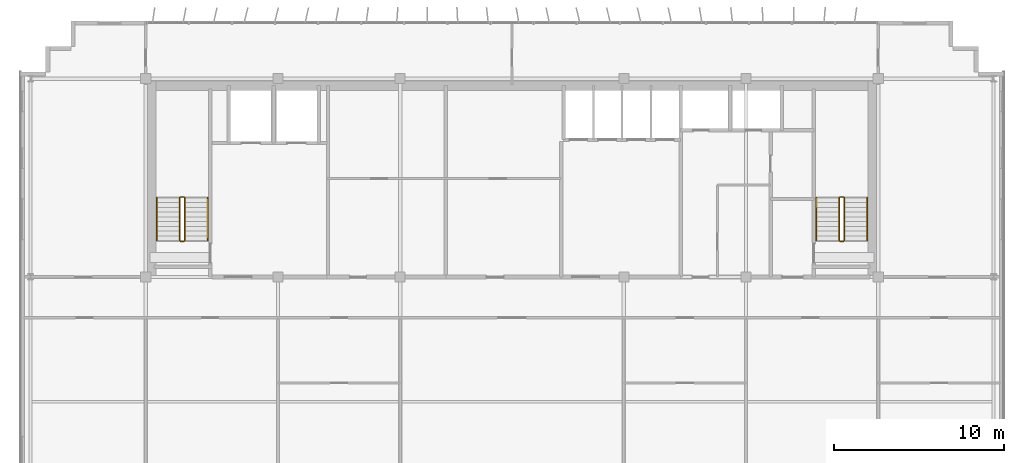
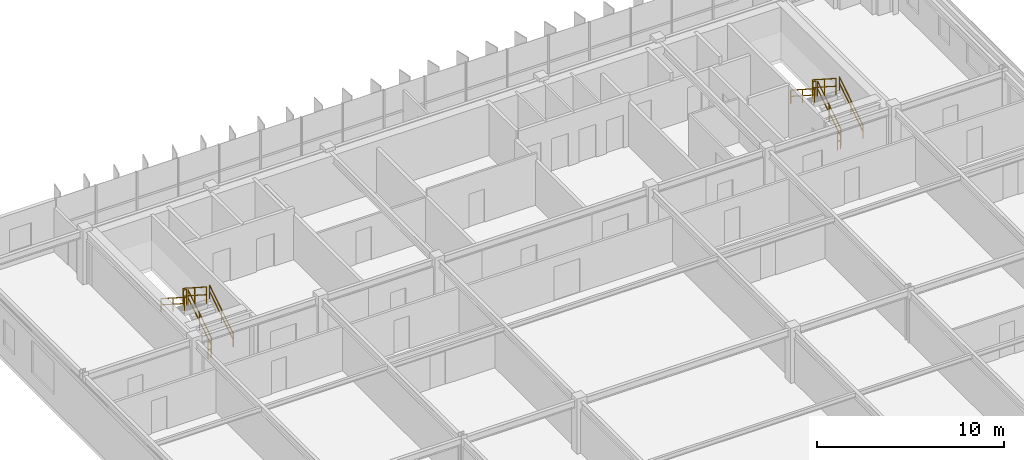
# One storey, part 21 of 21: 12 railings.
"""IFC4 building model written with IfcOpenShell, lengths in metres."""

from ifc_helpers import new_model, si_unit, direction, frame, origin, origin_2d, place, context, subcontext, project, spatial, rectangle, extrude, material, type_object, element, save


model = new_model("IFC4")

# Units and contexts
model_context = context("Model", 3, precision=1e-05, world=origin(), true_north=direction((0.0, 1.0)))
body_context = subcontext(model_context, "Body", "Model", "MODEL_VIEW")
ifc_project = project(units=[si_unit("LENGTHUNIT", "METRE"), si_unit("AREAUNIT", "SQUARE_METRE"), si_unit("VOLUMEUNIT", "CUBIC_METRE"), si_unit("PLANEANGLEUNIT", "RADIAN"), si_unit("MASSUNIT", "GRAM", prefix="KILO")], contexts=[model_context])

# Site, building, storey
site_placement = place(None, origin())
site = spatial("IfcSite", under=ifc_project, at=site_placement, CompositionType="ELEMENT")
building_placement = place(site_placement, origin())
building = spatial("IfcBuilding", under=site, at=building_placement, Name="Trelvane Seafront Commons", CompositionType="ELEMENT")
storey_placement = place(building_placement, frame((0.0, 0.0, 252.300048828125)))
storey = spatial("IfcBuildingStorey", under=building, at=storey_placement, Name="L65", CompositionType="ELEMENT", Elevation=252.300048828125)

# Railings
ifc_material = material(Name="Stainless steel balustrade", Category="steel")
railing_type_1 = type_object("IfcRailingType", Name="ARCH-SRL-GUARD", PredefinedType="GUARDRAIL", material=ifc_material)
railing_1_placement = place(storey_placement, frame((17.89990234375, 35.550048828125, 0.179931640625)))
element("IfcRailing", 1, at=railing_1_placement, inside=storey, type_object=railing_type_1, Name="L65 ST-1 stair guard 1", PredefinedType="GUARDRAIL", context=body_context, shape_type="SweptSolid", body=[
    extrude(rectangle(XDim=0.048095703125, YDim=0.048095703125, at=origin_2d()), frame((0.0, 0.0, 1.076171875), z_axis=(0.0, 0.841162588446, 0.540782303519), x_axis=(-1.0, 0.0, 0.0)), (0.0, 0.0, 1.0), 2.995849609375),
    extrude(rectangle(XDim=0.048095703125, YDim=0.048095703125, at=origin_2d()), frame((0.0, 0.0, 0.572021484375), z_axis=(0.0, 0.841162588446, 0.540782303519), x_axis=(-1.0, 0.0, 0.0)), (0.0, 0.0, 1.0), 2.995849609375),
    extrude(rectangle(XDim=0.0419921875, YDim=0.0419921875, at=origin_2d()), origin(), (0.0, 0.0, 1.0), 1.076171875),
    extrude(rectangle(XDim=0.0419921875, YDim=0.0419921875, at=origin_2d()), frame((0.0, 1.260009765625, 0.81005859375)), (0.0, 0.0, 1.0), 1.076171875),
    extrude(rectangle(XDim=0.0419921875, YDim=0.0419921875, at=origin_2d()), frame((0.0, 2.52001953125, 1.6201171875)), (0.0, 0.0, 1.0), 1.076171875),
])
railing_2_placement = place(storey_placement, frame((17.85009765625, 38.1201171875, 1.800048828125)))
element("IfcRailing", 2, at=railing_2_placement, inside=storey, type_object=railing_type_1, Name="L65 ST-1 stair guard 2", PredefinedType="GUARDRAIL", context=body_context, shape_type="SweptSolid", body=[
    extrude(rectangle(XDim=0.048095703125, YDim=0.048095703125, at=origin_2d()), frame((0.0, 0.0, 1.076171875), z_axis=(-1.0, 0.0, 0.0), x_axis=(0.0, -1.0, 0.0)), (0.0, 0.0, 1.0), 0.2001953125),
    extrude(rectangle(XDim=0.048095703125, YDim=0.048095703125, at=origin_2d()), frame((0.0, 0.0, 0.572021484375), z_axis=(-1.0, 0.0, 0.0), x_axis=(0.0, -1.0, 0.0)), (0.0, 0.0, 1.0), 0.2001953125),
    extrude(rectangle(XDim=0.0419921875, YDim=0.0419921875, at=origin_2d()), origin(), (0.0, 0.0, 1.0), 1.076171875),
    extrude(rectangle(XDim=0.0419921875, YDim=0.0419921875, at=origin_2d()), frame((-0.2001953125, 0.0, 0.0)), (0.0, 0.0, 1.0), 1.076171875),
])
railing_3_placement = place(storey_placement, frame((17.60009765625, 38.070068359375, 1.97998046875)))
element("IfcRailing", 3, at=railing_3_placement, inside=storey, type_object=railing_type_1, Name="L65 ST-1 stair guard 3", PredefinedType="GUARDRAIL", context=body_context, shape_type="SweptSolid", body=[
    extrude(rectangle(XDim=0.048095703125, YDim=0.048095703125, at=origin_2d()), frame((0.0, 0.0, 1.076171875), z_axis=(0.0, -0.841199657755, 0.540724639528), x_axis=(1.0, 0.0, 0.0)), (0.0, 0.0, 1.0), 2.995849609375),
    extrude(rectangle(XDim=0.048095703125, YDim=0.048095703125, at=origin_2d()), frame((0.0, 0.0, 0.572021484375), z_axis=(0.0, -0.841199657755, 0.540724639528), x_axis=(1.0, 0.0, 0.0)), (0.0, 0.0, 1.0), 2.995849609375),
    extrude(rectangle(XDim=0.0419921875, YDim=0.0419921875, at=origin_2d()), origin(), (0.0, 0.0, 1.0), 1.076171875),
    extrude(rectangle(XDim=0.0419921875, YDim=0.0419921875, at=origin_2d()), frame((0.0, -1.260009765625, 0.81005859375)), (0.0, 0.0, 1.0), 1.076171875),
    extrude(rectangle(XDim=0.0419921875, YDim=0.0419921875, at=origin_2d()), frame((0.0, -2.52001953125, 1.619873046875)), (0.0, 0.0, 1.0), 1.076171875),
])
railing_4_placement = place(storey_placement, frame((17.85009765625, 35.5, 0.0)))
element("IfcRailing", 4, at=railing_4_placement, inside=storey, type_object=railing_type_1, Name="L65 ST-1 stair guard 4", PredefinedType="GUARDRAIL", context=body_context, shape_type="SweptSolid", body=[
    extrude(rectangle(XDim=0.048095703125, YDim=0.048095703125, at=origin_2d()), frame((0.0, 0.0, 1.076171875), z_axis=(-1.0, 0.0, 0.0), x_axis=(0.0, -1.0, 0.0)), (0.0, 0.0, 1.0), 0.2001953125),
    extrude(rectangle(XDim=0.048095703125, YDim=0.048095703125, at=origin_2d()), frame((0.0, 0.0, 0.572021484375), z_axis=(-1.0, 0.0, 0.0), x_axis=(0.0, -1.0, 0.0)), (0.0, 0.0, 1.0), 0.2001953125),
    extrude(rectangle(XDim=0.0419921875, YDim=0.0419921875, at=origin_2d()), origin(), (0.0, 0.0, 1.0), 1.076171875),
    extrude(rectangle(XDim=0.0419921875, YDim=0.0419921875, at=origin_2d()), frame((-0.2001953125, 0.0, 0.0)), (0.0, 0.0, 1.0), 1.076171875),
])
railing_5_placement = place(storey_placement, frame((56.800048828125, 35.550048828125, 0.179931640625)))
element("IfcRailing", 5, at=railing_5_placement, inside=storey, type_object=railing_type_1, Name="L65 ST-2 stair guard 1", PredefinedType="GUARDRAIL", context=body_context, shape_type="SweptSolid", body=[
    extrude(rectangle(XDim=0.048095703125, YDim=0.048095703125, at=origin_2d()), frame((0.0, 0.0, 1.076171875), z_axis=(0.0, 0.841162588446, 0.540782303519), x_axis=(-1.0, 0.0, 0.0)), (0.0, 0.0, 1.0), 2.995849609375),
    extrude(rectangle(XDim=0.048095703125, YDim=0.048095703125, at=origin_2d()), frame((0.0, 0.0, 0.572021484375), z_axis=(0.0, 0.841162588446, 0.540782303519), x_axis=(-1.0, 0.0, 0.0)), (0.0, 0.0, 1.0), 2.995849609375),
    extrude(rectangle(XDim=0.0419921875, YDim=0.0419921875, at=origin_2d()), origin(), (0.0, 0.0, 1.0), 1.076171875),
    extrude(rectangle(XDim=0.0419921875, YDim=0.0419921875, at=origin_2d()), frame((0.0, 1.260009765625, 0.81005859375)), (0.0, 0.0, 1.0), 1.076171875),
    extrude(rectangle(XDim=0.0419921875, YDim=0.0419921875, at=origin_2d()), frame((0.0, 2.52001953125, 1.6201171875)), (0.0, 0.0, 1.0), 1.076171875),
])
railing_6_placement = place(storey_placement, frame((56.75, 38.1201171875, 1.800048828125)))
element("IfcRailing", 6, at=railing_6_placement, inside=storey, type_object=railing_type_1, Name="L65 ST-2 stair guard 2", PredefinedType="GUARDRAIL", context=body_context, shape_type="SweptSolid", body=[
    extrude(rectangle(XDim=0.048095703125, YDim=0.048095703125, at=origin_2d()), frame((0.0, 0.0, 1.076171875), z_axis=(-1.0, 0.0, 0.0), x_axis=(0.0, -1.0, 0.0)), (0.0, 0.0, 1.0), 0.199951171875),
    extrude(rectangle(XDim=0.048095703125, YDim=0.048095703125, at=origin_2d()), frame((0.0, 0.0, 0.572021484375), z_axis=(-1.0, 0.0, 0.0), x_axis=(0.0, -1.0, 0.0)), (0.0, 0.0, 1.0), 0.199951171875),
    extrude(rectangle(XDim=0.0419921875, YDim=0.0419921875, at=origin_2d()), origin(), (0.0, 0.0, 1.0), 1.076171875),
    extrude(rectangle(XDim=0.0419921875, YDim=0.0419921875, at=origin_2d()), frame((-0.199951171875, 0.0, 0.0)), (0.0, 0.0, 1.0), 1.076171875),
])
railing_7_placement = place(storey_placement, frame((56.5, 38.070068359375, 1.97998046875)))
element("IfcRailing", 7, at=railing_7_placement, inside=storey, type_object=railing_type_1, Name="L65 ST-2 stair guard 3", PredefinedType="GUARDRAIL", context=body_context, shape_type="SweptSolid", body=[
    extrude(rectangle(XDim=0.048095703125, YDim=0.048095703125, at=origin_2d()), frame((0.0, 0.0, 1.076171875), z_axis=(0.0, -0.841199657755, 0.540724639528), x_axis=(1.0, 0.0, 0.0)), (0.0, 0.0, 1.0), 2.995849609375),
    extrude(rectangle(XDim=0.048095703125, YDim=0.048095703125, at=origin_2d()), frame((0.0, 0.0, 0.572021484375), z_axis=(0.0, -0.841199657755, 0.540724639528), x_axis=(1.0, 0.0, 0.0)), (0.0, 0.0, 1.0), 2.995849609375),
    extrude(rectangle(XDim=0.0419921875, YDim=0.0419921875, at=origin_2d()), origin(), (0.0, 0.0, 1.0), 1.076171875),
    extrude(rectangle(XDim=0.0419921875, YDim=0.0419921875, at=origin_2d()), frame((0.0, -1.260009765625, 0.81005859375)), (0.0, 0.0, 1.0), 1.076171875),
    extrude(rectangle(XDim=0.0419921875, YDim=0.0419921875, at=origin_2d()), frame((0.0, -2.52001953125, 1.619873046875)), (0.0, 0.0, 1.0), 1.076171875),
])
railing_8_placement = place(storey_placement, frame((56.75, 35.5, 0.0)))
element("IfcRailing", 8, at=railing_8_placement, inside=storey, type_object=railing_type_1, Name="L65 ST-2 stair guard 4", PredefinedType="GUARDRAIL", context=body_context, shape_type="SweptSolid", body=[
    extrude(rectangle(XDim=0.048095703125, YDim=0.048095703125, at=origin_2d()), frame((0.0, 0.0, 1.076171875), z_axis=(-1.0, 0.0, 0.0), x_axis=(0.0, -1.0, 0.0)), (0.0, 0.0, 1.0), 0.199951171875),
    extrude(rectangle(XDim=0.048095703125, YDim=0.048095703125, at=origin_2d()), frame((0.0, 0.0, 0.572021484375), z_axis=(-1.0, 0.0, 0.0), x_axis=(0.0, -1.0, 0.0)), (0.0, 0.0, 1.0), 0.199951171875),
    extrude(rectangle(XDim=0.0419921875, YDim=0.0419921875, at=origin_2d()), origin(), (0.0, 0.0, 1.0), 1.076171875),
    extrude(rectangle(XDim=0.0419921875, YDim=0.0419921875, at=origin_2d()), frame((-0.199951171875, 0.0, 0.0)), (0.0, 0.0, 1.0), 1.076171875),
])
railing_type_2 = type_object("IfcRailingType", Name="ARCH-SRL-HAND", PredefinedType="HANDRAIL", material=ifc_material)
railing_9_placement = place(storey_placement, frame((19.25, 35.550048828125, 0.179931640625)))
element("IfcRailing", 9, at=railing_9_placement, inside=storey, type_object=railing_type_2, Name="L65 ST-1 stair handrail 1", PredefinedType="HANDRAIL", context=body_context, shape_type="SweptSolid", body=[
    extrude(rectangle(XDim=0.048095703125, YDim=0.048095703125, at=origin_2d()), frame((0.0, 0.0, 0.8759765625), z_axis=(0.0, 0.841162588446, 0.540782303519), x_axis=(-1.0, 0.0, 0.0)), (0.0, 0.0, 1.0), 2.995849609375),
    extrude(rectangle(XDim=0.048095703125, YDim=0.048095703125, at=origin_2d()), frame((0.0, 0.0, 0.468017578125), z_axis=(0.0, 0.841162588446, 0.540782303519), x_axis=(-1.0, 0.0, 0.0)), (0.0, 0.0, 1.0), 2.995849609375),
    extrude(rectangle(XDim=0.0419921875, YDim=0.0419921875, at=origin_2d()), origin(), (0.0, 0.0, 1.0), 0.8759765625),
    extrude(rectangle(XDim=0.0419921875, YDim=0.0419921875, at=origin_2d()), frame((0.0, 1.260009765625, 0.81005859375)), (0.0, 0.0, 1.0), 0.8759765625),
    extrude(rectangle(XDim=0.0419921875, YDim=0.0419921875, at=origin_2d()), frame((0.0, 2.52001953125, 1.6201171875)), (0.0, 0.0, 1.0), 0.8759765625),
])
railing_10_placement = place(storey_placement, frame((16.25, 38.070068359375, 1.97998046875)))
element("IfcRailing", 10, at=railing_10_placement, inside=storey, type_object=railing_type_2, Name="L65 ST-1 stair handrail 2", PredefinedType="HANDRAIL", context=body_context, shape_type="SweptSolid", body=[
    extrude(rectangle(XDim=0.048095703125, YDim=0.048095703125, at=origin_2d()), frame((0.0, 0.0, 0.8759765625), z_axis=(0.0, -0.841199657755, 0.540724639528), x_axis=(1.0, 0.0, 0.0)), (0.0, 0.0, 1.0), 2.995849609375),
    extrude(rectangle(XDim=0.048095703125, YDim=0.048095703125, at=origin_2d()), frame((0.0, 0.0, 0.468017578125), z_axis=(0.0, -0.841199657755, 0.540724639528), x_axis=(1.0, 0.0, 0.0)), (0.0, 0.0, 1.0), 2.995849609375),
    extrude(rectangle(XDim=0.0419921875, YDim=0.0419921875, at=origin_2d()), origin(), (0.0, 0.0, 1.0), 0.8759765625),
    extrude(rectangle(XDim=0.0419921875, YDim=0.0419921875, at=origin_2d()), frame((0.0, -1.260009765625, 0.81005859375)), (0.0, 0.0, 1.0), 0.8759765625),
    extrude(rectangle(XDim=0.0419921875, YDim=0.0419921875, at=origin_2d()), frame((0.0, -2.52001953125, 1.619873046875)), (0.0, 0.0, 1.0), 0.8759765625),
])
railing_11_placement = place(storey_placement, frame((58.14990234375, 35.550048828125, 0.179931640625)))
element("IfcRailing", 11, at=railing_11_placement, inside=storey, type_object=railing_type_2, Name="L65 ST-2 stair handrail 1", PredefinedType="HANDRAIL", context=body_context, shape_type="SweptSolid", body=[
    extrude(rectangle(XDim=0.048095703125, YDim=0.048095703125, at=origin_2d()), frame((0.0, 0.0, 0.8759765625), z_axis=(0.0, 0.841162588446, 0.540782303519), x_axis=(-1.0, 0.0, 0.0)), (0.0, 0.0, 1.0), 2.995849609375),
    extrude(rectangle(XDim=0.048095703125, YDim=0.048095703125, at=origin_2d()), frame((0.0, 0.0, 0.468017578125), z_axis=(0.0, 0.841162588446, 0.540782303519), x_axis=(-1.0, 0.0, 0.0)), (0.0, 0.0, 1.0), 2.995849609375),
    extrude(rectangle(XDim=0.0419921875, YDim=0.0419921875, at=origin_2d()), origin(), (0.0, 0.0, 1.0), 0.8759765625),
    extrude(rectangle(XDim=0.0419921875, YDim=0.0419921875, at=origin_2d()), frame((0.0, 1.260009765625, 0.81005859375)), (0.0, 0.0, 1.0), 0.8759765625),
    extrude(rectangle(XDim=0.0419921875, YDim=0.0419921875, at=origin_2d()), frame((0.0, 2.52001953125, 1.6201171875)), (0.0, 0.0, 1.0), 0.8759765625),
])
railing_12_placement = place(storey_placement, frame((55.14990234375, 38.070068359375, 1.97998046875)))
element("IfcRailing", 12, at=railing_12_placement, inside=storey, type_object=railing_type_2, Name="L65 ST-2 stair handrail 2", PredefinedType="HANDRAIL", context=body_context, shape_type="SweptSolid", body=[
    extrude(rectangle(XDim=0.048095703125, YDim=0.048095703125, at=origin_2d()), frame((0.0, 0.0, 0.8759765625), z_axis=(0.0, -0.841199657755, 0.540724639528), x_axis=(1.0, 0.0, 0.0)), (0.0, 0.0, 1.0), 2.995849609375),
    extrude(rectangle(XDim=0.048095703125, YDim=0.048095703125, at=origin_2d()), frame((0.0, 0.0, 0.468017578125), z_axis=(0.0, -0.841199657755, 0.540724639528), x_axis=(1.0, 0.0, 0.0)), (0.0, 0.0, 1.0), 2.995849609375),
    extrude(rectangle(XDim=0.0419921875, YDim=0.0419921875, at=origin_2d()), origin(), (0.0, 0.0, 1.0), 0.8759765625),
    extrude(rectangle(XDim=0.0419921875, YDim=0.0419921875, at=origin_2d()), frame((0.0, -1.260009765625, 0.81005859375)), (0.0, 0.0, 1.0), 0.8759765625),
    extrude(rectangle(XDim=0.0419921875, YDim=0.0419921875, at=origin_2d()), frame((0.0, -2.52001953125, 1.619873046875)), (0.0, 0.0, 1.0), 0.8759765625),
])

save(model, "model.ifc")
